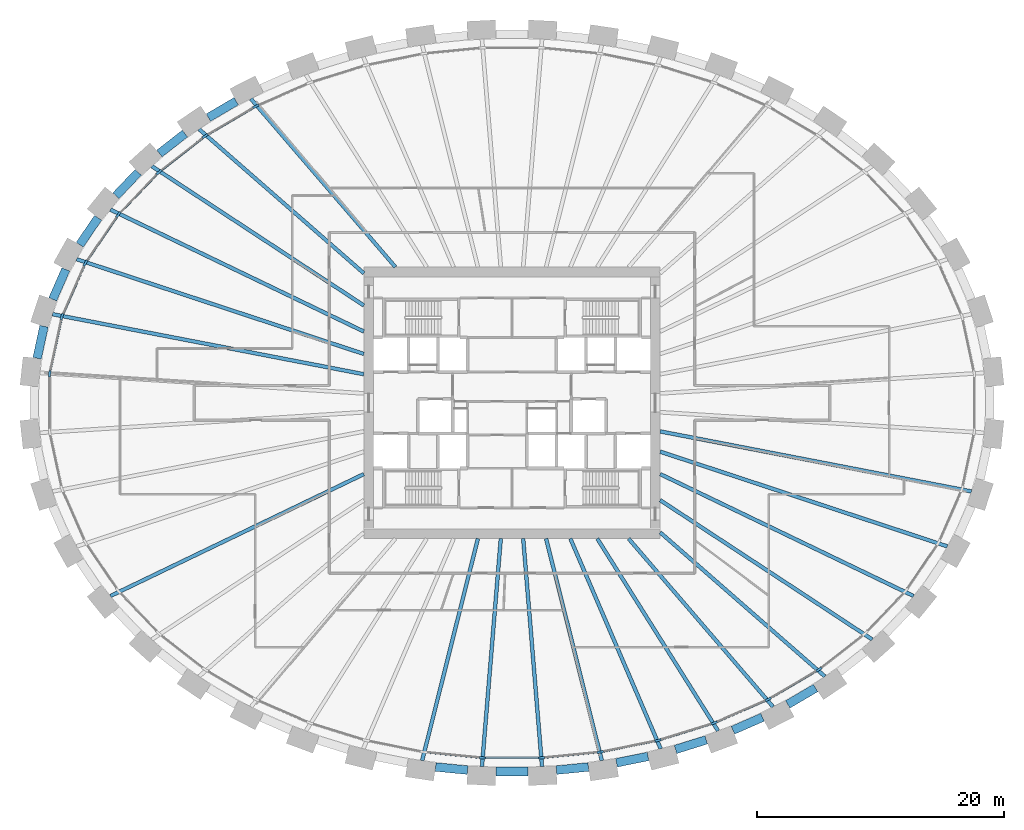
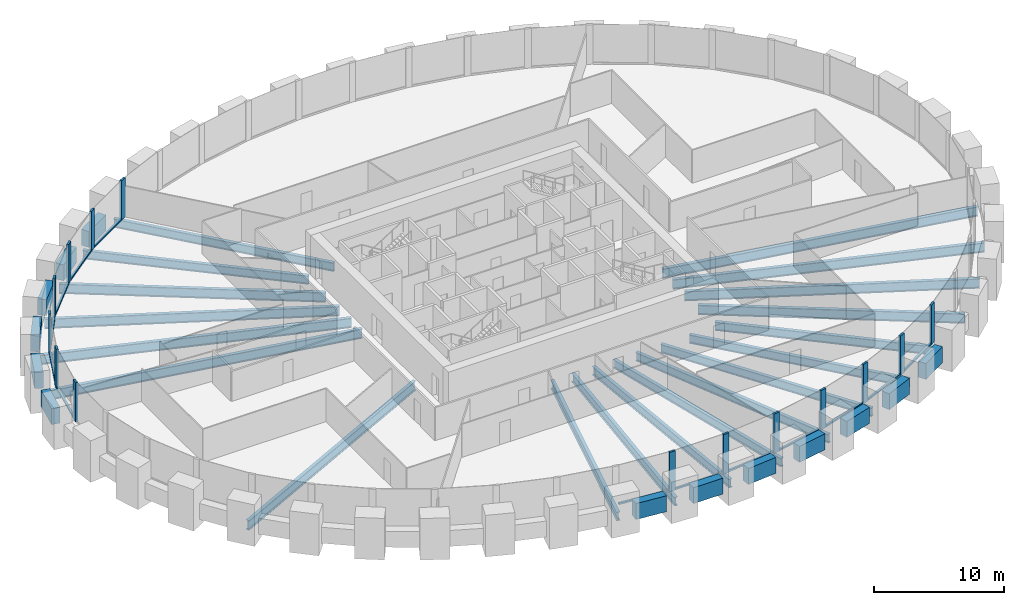
# One storey, part 2 of 11: 32 beams, 27 members, 1 element without a shape of its own.
"""IFC4 building model written with IfcOpenShell, lengths in metres."""

from ifc_helpers import new_model, si_unit, direction, frame, origin, origin_2d, place, context, subcontext, project, spatial, rectangle, i_section, extrude, source, transform, mapped, material, material_profile, profile_set, type_object, element, aggregate, save


model = new_model("IFC4")

# Units and contexts
model_context = context("Model", 3, precision=1e-05, world=origin(), true_north=direction((0.0, 1.0)))
body_context = subcontext(model_context, "Body", "Model", "MODEL_VIEW")
ifc_project = project(units=[si_unit("LENGTHUNIT", "METRE"), si_unit("AREAUNIT", "SQUARE_METRE"), si_unit("VOLUMEUNIT", "CUBIC_METRE"), si_unit("PLANEANGLEUNIT", "RADIAN"), si_unit("MASSUNIT", "GRAM", prefix="KILO")], contexts=[model_context])

# Site, building, storey
site_placement = place(None, origin())
site = spatial("IfcSite", under=ifc_project, at=site_placement, CompositionType="ELEMENT")
building_placement = place(site_placement, origin())
building = spatial("IfcBuilding", under=site, at=building_placement, Name="Embergate Tower", CompositionType="ELEMENT")
storey_placement = place(building_placement, frame((0.0, 0.0, 135.89990234375)))
storey = spatial("IfcBuildingStorey", under=building, at=storey_placement, Name="L29", CompositionType="ELEMENT", Elevation=135.89990234375)

# Beams
ifc_material_1 = material(Name="Concrete C70", Category="concrete")
ifc_material_profile_1 = material_profile(ifc_material_1, rectangle(XDim=0.699951171875, YDim=1.5, at=origin_2d()), Name="RC 700x1500")
ifc_profile_set_1 = profile_set([ifc_material_profile_1], Name="Concrete C70")
beam_type_1 = type_object("IfcBeamType", Name="Spandrel beam RC 700x1500 C70", PredefinedType="BEAM", material=ifc_profile_set_1)
shared_shape_1 = source(origin(), body_context, "Body", "SweptSolid", [
    extrude(rectangle(XDim=0.699951171875, YDim=1.5, at=origin_2d()), origin(), (0.0, 0.0, 1.0), 2.644287109375),
])
beam_1_placement = place(storey_placement, frame((-37.906005859375, 6.195068359375, 0.0), z_axis=(-0.210600871974, -0.977572131724, 0.0), x_axis=(0.977572131724, -0.210600871974, 0.0)))
element("IfcBeam", 1, at=beam_1_placement, inside=storey, type_object=beam_type_1, Name="SPN-L29-20", PredefinedType="BEAM", context=body_context, shape_type="MappedRepresentation", body=[
    mapped(shared_shape_1, transform((0.0, 0.0, 0.0))),
])
shared_shape_2 = source(origin(), body_context, "Body", "SweptSolid", [
    extrude(rectangle(XDim=0.699951171875, YDim=1.5, at=origin_2d()), origin(), (0.0, 0.0, 1.0), 2.640625),
])
beam_2_placement = place(storey_placement, frame((-36.137939453125, 10.801025390625, 0.0), z_axis=(-0.401827456717, -0.915715400672, 0.0), x_axis=(0.915715400672, -0.401827456717, 0.0)))
element("IfcBeam", 2, at=beam_2_placement, inside=storey, type_object=beam_type_1, Name="SPN-L29-19", PredefinedType="BEAM", context=body_context, shape_type="MappedRepresentation", body=[
    mapped(shared_shape_2, transform((0.0, 0.0, 0.0))),
])
shared_shape_3 = source(origin(), body_context, "Body", "SweptSolid", [
    extrude(rectangle(XDim=0.699951171875, YDim=1.5, at=origin_2d()), origin(), (0.0, 0.0, 1.0), 2.63037109375),
])
beam_3_placement = place(storey_placement, frame((-33.528076171875, 14.97900390625, 0.0), z_axis=(-0.562302404878, -0.826931681258, 0.0), x_axis=(0.826931681258, -0.562302404878, 0.0)))
element("IfcBeam", 3, at=beam_3_placement, inside=storey, type_object=beam_type_1, Name="SPN-L29-18", PredefinedType="BEAM", context=body_context, shape_type="MappedRepresentation", body=[
    mapped(shared_shape_3, transform((0.0, 0.0, 0.0))),
])
shared_shape_4 = source(origin(), body_context, "Body", "SweptSolid", [
    extrude(rectangle(XDim=0.699951171875, YDim=1.5, at=origin_2d()), origin(), (0.0, 0.0, 1.0), 2.6240234375),
])
beam_4_placement = place(storey_placement, frame((-30.27099609375, 18.6669921875, 0.0), z_axis=(-0.690161462012, -0.723655412716, 0.0), x_axis=(0.723655412716, -0.690161462012, 0.0)))
element("IfcBeam", 4, at=beam_4_placement, inside=storey, type_object=beam_type_1, Name="SPN-L29-17", PredefinedType="BEAM", context=body_context, shape_type="MappedRepresentation", body=[
    mapped(shared_shape_4, transform((0.0, 0.0, 0.0))),
])
shared_shape_5 = source(origin(), body_context, "Body", "SweptSolid", [
    extrude(rectangle(XDim=0.699951171875, YDim=1.5, at=origin_2d()), origin(), (0.0, 0.0, 1.0), 2.617431640625),
])
beam_5_placement = place(storey_placement, frame((-26.489990234375, 21.806884765625, 0.0), z_axis=(-0.788185558189, -0.615437670169, 0.0), x_axis=(0.615437670169, -0.788185558189, 0.0)))
element("IfcBeam", 5, at=beam_5_placement, inside=storey, type_object=beam_type_1, Name="SPN-L29-16", PredefinedType="BEAM", context=body_context, shape_type="MappedRepresentation", body=[
    mapped(shared_shape_5, transform((0.0, 0.0, 0.0))),
])
shared_shape_6 = source(origin(), body_context, "Body", "SweptSolid", [
    extrude(rectangle(XDim=0.699951171875, YDim=1.5, at=origin_2d()), origin(), (0.0, 0.0, 1.0), 2.61328125),
])
for number, where, z_axis, x_axis, name in (
    (6, (-22.3349609375, 24.425048828125, 0.0), (-0.862147892726, -0.506656699421, 0.0), (0.506656699421, -0.862147892726, 0.0), "SPN-L29-15"),
    (7, (22.3349609375, -24.425048828125, 0.0), (0.862147892726, 0.506656699421, 0.0), (-0.506656699421, 0.862147892726, 0.0), "SPN-L29-37"),
):
    element("IfcBeam", number, at=place(storey_placement, frame(where, z_axis=z_axis, x_axis=x_axis)), inside=storey, type_object=beam_type_1, Name=name, PredefinedType="BEAM", context=body_context, shape_type="MappedRepresentation", body=[
        mapped(shared_shape_6, transform((0.0, 0.0, 0.0))),
    ])
shared_shape_7 = source(origin(), body_context, "Body", "SweptSolid", [
    extrude(rectangle(XDim=0.699951171875, YDim=1.5, at=origin_2d()), origin(), (0.0, 0.0, 1.0), 2.609619140625),
])
beam_6_placement = place(storey_placement, frame((17.89501953125, -26.51611328125, 0.0), z_axis=(0.916138010335, 0.400863001561, 0.0), x_axis=(-0.400863001561, 0.916138010335, 0.0)))
element("IfcBeam", 8, at=beam_6_placement, inside=storey, type_object=beam_type_1, Name="SPN-L29-36", PredefinedType="BEAM", context=body_context, shape_type="MappedRepresentation", body=[
    mapped(shared_shape_7, transform((0.0, 0.0, 0.0))),
])
shared_shape_8 = source(origin(), body_context, "Body", "SweptSolid", [
    extrude(rectangle(XDim=0.699951171875, YDim=1.5, at=origin_2d()), origin(), (0.0, 0.0, 1.0), 2.605712890625),
])
beam_7_placement = place(storey_placement, frame((13.2451171875, -28.075927734375, 0.0), z_axis=(0.954756318778, 0.297389259647, 0.0), x_axis=(-0.297389259647, 0.954756318778, 0.0)))
element("IfcBeam", 9, at=beam_7_placement, inside=storey, type_object=beam_type_1, Name="SPN-L29-35", PredefinedType="BEAM", context=body_context, shape_type="MappedRepresentation", body=[
    mapped(shared_shape_8, transform((0.0, 0.0, 0.0))),
])
shared_shape_9 = source(origin(), body_context, "Body", "SweptSolid", [
    extrude(rectangle(XDim=0.699951171875, YDim=1.5, at=origin_2d()), origin(), (0.0, 0.0, 1.0), 2.602783203125),
])
beam_8_placement = place(storey_placement, frame((8.464111328125, -29.156982421875, 0.0), z_axis=(0.98046506275, 0.196693316425, 0.0), x_axis=(-0.196693316425, 0.98046506275, 0.0)))
element("IfcBeam", 10, at=beam_8_placement, inside=storey, type_object=beam_type_1, Name="SPN-L29-34", PredefinedType="BEAM", context=body_context, shape_type="MappedRepresentation", body=[
    mapped(shared_shape_9, transform((0.0, 0.0, 0.0))),
])
shared_shape_10 = source(origin(), body_context, "Body", "SweptSolid", [
    extrude(rectangle(XDim=0.699951171875, YDim=1.5, at=origin_2d()), origin(), (0.0, 0.0, 1.0), 2.603515625),
])
for number, where, z_axis, x_axis, name in (
    (11, (-6.18896484375, -29.49609375, 0.0), (0.995232987849, -0.097525893467, 0.0), (0.097525893467, 0.995232987849, 0.0), "SPN-L29-31"),
    (12, (3.597900390625, -29.75, 0.0), (0.995232987849, 0.097525893467, 0.0), (-0.097525893467, 0.995232987849, 0.0), "SPN-L29-33"),
):
    element("IfcBeam", number, at=place(storey_placement, frame(where, z_axis=z_axis, x_axis=x_axis)), inside=storey, type_object=beam_type_1, Name=name, PredefinedType="BEAM", context=body_context, shape_type="MappedRepresentation", body=[
        mapped(shared_shape_10, transform((0.0, 0.0, 0.0))),
    ])
shared_shape_11 = source(origin(), body_context, "Body", "SweptSolid", [
    extrude(rectangle(XDim=0.699951171875, YDim=1.5, at=origin_2d()), origin(), (0.0, 0.0, 1.0), 2.60205078125),
])
beam_9_placement = place(storey_placement, frame((-1.301025390625, -29.863037109375, 0.0), z_axis=(1.0, 0.0, 0.0), x_axis=(0.0, 1.0, 0.0)))
element("IfcBeam", 13, at=beam_9_placement, inside=storey, type_object=beam_type_1, Name="SPN-L29-32", PredefinedType="BEAM", context=body_context, shape_type="MappedRepresentation", body=[
    mapped(shared_shape_11, transform((0.0, 0.0, 0.0))),
])
ifc_material_2 = material(Name="Steel Q355B", Category="steel")
ifc_material_profile_2 = material_profile(ifc_material_2, i_section(OverallWidth=0.300048828125, OverallDepth=0.89990234375, WebThickness=0.01611328125, FlangeThickness=0.028076171875, FilletRadius=0.028076171875, at=origin_2d()), Name="HN 900x300x16x28")
ifc_profile_set_2 = profile_set([ifc_material_profile_2], Name="Steel Q355 grade B")
beam_type_2 = type_object("IfcBeamType", Name="Radial girder HN 900x300x16x28", PredefinedType="BEAM", material=ifc_profile_set_2)
shared_shape_12 = source(origin(), body_context, "Body", "SweptSolid", [
    extrude(i_section(OverallWidth=0.300048828125, OverallDepth=0.89990234375, WebThickness=0.01611328125, FlangeThickness=0.028076171875, FilletRadius=0.028076171875, at=origin_2d()), origin(), (0.0, 0.0, 1.0), 25.678955078125),
])
for number, where, z_axis, x_axis, name in (
    (14, (-37.214111328125, 7.178955078125, -0.64990234375), (0.981896899558, -0.189416151998, 0.0), (0.189416151998, 0.981896899558, 0.0), "GIR-L29-20"),
    (15, (37.214111328125, -7.178955078125, -0.64990234375), (-0.981896899558, 0.189416151998, 0.0), (-0.189416151998, -0.981896899558, 0.0), "GIR-L29-42"),
):
    element("IfcBeam", number, at=place(storey_placement, frame(where, z_axis=z_axis, x_axis=x_axis)), inside=storey, type_object=beam_type_2, Name=name, PredefinedType="BEAM", context=body_context, shape_type="MappedRepresentation", body=[
        mapped(shared_shape_12, transform((0.0, 0.0, 0.0))),
    ])
shared_shape_13 = source(origin(), body_context, "Body", "SweptSolid", [
    extrude(i_section(OverallWidth=0.300048828125, OverallDepth=0.89990234375, WebThickness=0.01611328125, FlangeThickness=0.028076171875, FilletRadius=0.028076171875, at=origin_2d()), origin(), (0.0, 0.0, 1.0), 24.494384765625),
])
for number, where, z_axis, x_axis, name in (
    (16, (-35.261962890625, 11.62890625, -0.64990234375), (0.949684190342, -0.313209097273, 0.0), (0.313209097273, 0.949684190342, 0.0), "GIR-L29-19"),
    (17, (35.261962890625, -11.62890625, -0.64990234375), (-0.949684190342, 0.313209097273, 0.0), (-0.313209097273, -0.949684190342, 0.0), "GIR-L29-41"),
):
    element("IfcBeam", number, at=place(storey_placement, frame(where, z_axis=z_axis, x_axis=x_axis)), inside=storey, type_object=beam_type_2, Name=name, PredefinedType="BEAM", context=body_context, shape_type="MappedRepresentation", body=[
        mapped(shared_shape_13, transform((0.0, 0.0, 0.0))),
    ])
shared_shape_14 = source(origin(), body_context, "Body", "SweptSolid", [
    extrude(i_section(OverallWidth=0.300048828125, OverallDepth=0.89990234375, WebThickness=0.01611328125, FlangeThickness=0.028076171875, FilletRadius=0.028076171875, at=origin_2d()), origin(), (0.0, 0.0, 1.0), 22.7802734375),
])
for number, where, z_axis, x_axis, name in (
    (18, (-32.528076171875, 15.64892578125, -0.64990234375), (0.901137381281, -0.433533643514, 0.0), (0.433533643514, 0.901137381281, 0.0), "GIR-L29-18"),
    (19, (-32.528076171875, -15.64892578125, -0.64990234375), (0.901137381281, 0.433533643514, 0.0), (-0.433533643514, 0.901137381281, 0.0), "GIR-L29-25"),
    (20, (32.528076171875, -15.64892578125, -0.64990234375), (-0.901137381281, 0.433533643514, 0.0), (-0.433533643514, -0.901137381281, 0.0), "GIR-L29-40"),
):
    element("IfcBeam", number, at=place(storey_placement, frame(where, z_axis=z_axis, x_axis=x_axis)), inside=storey, type_object=beam_type_2, Name=name, PredefinedType="BEAM", context=body_context, shape_type="MappedRepresentation", body=[
        mapped(shared_shape_14, transform((0.0, 0.0, 0.0))),
    ])
shared_shape_15 = source(origin(), body_context, "Body", "SweptSolid", [
    extrude(i_section(OverallWidth=0.300048828125, OverallDepth=0.89990234375, WebThickness=0.01611328125, FlangeThickness=0.028076171875, FilletRadius=0.028076171875, at=origin_2d()), origin(), (0.0, 0.0, 1.0), 20.548095703125),
])
for number, where, z_axis, x_axis, name in (
    (21, (-29.173095703125, 19.1669921875, -0.64990234375), (0.835755020843, -0.549102490557, 0.0), (0.549102490557, 0.835755020843, 0.0), "GIR-L29-17"),
    (22, (29.173095703125, -19.1669921875, -0.64990234375), (-0.835755020843, 0.549102490557, 0.0), (-0.549102490557, -0.835755020843, 0.0), "GIR-L29-39"),
):
    element("IfcBeam", number, at=place(storey_placement, frame(where, z_axis=z_axis, x_axis=x_axis)), inside=storey, type_object=beam_type_2, Name=name, PredefinedType="BEAM", context=body_context, shape_type="MappedRepresentation", body=[
        mapped(shared_shape_15, transform((0.0, 0.0, 0.0))),
    ])
ifc_material_profile_3 = material_profile(ifc_material_2, i_section(OverallWidth=0.300048828125, OverallDepth=0.800048828125, WebThickness=0.013916015625, FlangeThickness=0.02587890625, FilletRadius=0.028076171875, at=origin_2d()), Name="HN 800x300x14x26")
ifc_profile_set_3 = profile_set([ifc_material_profile_3], Name="Steel Q355 grade B")
beam_type_3 = type_object("IfcBeamType", Name="Radial girder HN 800x300x14x26", PredefinedType="BEAM", material=ifc_profile_set_3)
shared_shape_16 = source(origin(), body_context, "Body", "SweptSolid", [
    extrude(i_section(OverallWidth=0.300048828125, OverallDepth=0.800048828125, WebThickness=0.013916015625, FlangeThickness=0.02587890625, FilletRadius=0.028076171875, at=origin_2d()), origin(), (0.0, 0.0, 1.0), 17.7216796875),
])
for number, where, z_axis, x_axis, name in (
    (23, (-25.340087890625, 22.159912109375, -0.599853515625), (0.752760148579, -0.65829488735, 0.0), (0.65829488735, 0.752760148579, 0.0), "GIR-L29-16"),
    (24, (25.340087890625, -22.159912109375, -0.599853515625), (-0.752760148579, 0.65829488735, 0.0), (-0.65829488735, -0.752760148579, 0.0), "GIR-L29-38"),
):
    element("IfcBeam", number, at=place(storey_placement, frame(where, z_axis=z_axis, x_axis=x_axis)), inside=storey, type_object=beam_type_3, Name=name, PredefinedType="BEAM", context=body_context, shape_type="MappedRepresentation", body=[
        mapped(shared_shape_16, transform((0.0, 0.0, 0.0))),
    ])
shared_shape_17 = source(origin(), body_context, "Body", "SweptSolid", [
    extrude(i_section(OverallWidth=0.300048828125, OverallDepth=0.800048828125, WebThickness=0.013916015625, FlangeThickness=0.02587890625, FilletRadius=0.028076171875, at=origin_2d()), origin(), (0.0, 0.0, 1.0), 17.958251953125),
])
for number, where, z_axis, x_axis, name in (
    (25, (-21.14599609375, 24.6240234375, -0.599853515625), (0.651504254296, -0.75864498063, 0.0), (0.75864498063, 0.651504254296, 0.0), "GIR-L29-15"),
    (26, (21.14599609375, -24.6240234375, -0.599853515625), (-0.651504254296, 0.75864498063, 0.0), (-0.75864498063, -0.651504254296, 0.0), "GIR-L29-37"),
):
    element("IfcBeam", number, at=place(storey_placement, frame(where, z_axis=z_axis, x_axis=x_axis)), inside=storey, type_object=beam_type_3, Name=name, PredefinedType="BEAM", context=body_context, shape_type="MappedRepresentation", body=[
        mapped(shared_shape_17, transform((0.0, 0.0, 0.0))),
    ])
shared_shape_18 = source(origin(), body_context, "Body", "SweptSolid", [
    extrude(i_section(OverallWidth=0.300048828125, OverallDepth=0.800048828125, WebThickness=0.013916015625, FlangeThickness=0.02587890625, FilletRadius=0.028076171875, at=origin_2d()), origin(), (0.0, 0.0, 1.0), 18.390625),
])
beam_10_placement = place(storey_placement, frame((16.68994140625, -26.573974609375, -0.599853515625), z_axis=(-0.531846072131, 0.846841045037, 0.0), x_axis=(-0.846841045037, -0.531846072131, 0.0)))
element("IfcBeam", 27, at=beam_10_placement, inside=storey, type_object=beam_type_3, Name="GIR-L29-36", PredefinedType="BEAM", context=body_context, shape_type="MappedRepresentation", body=[
    mapped(shared_shape_18, transform((0.0, 0.0, 0.0))),
])
shared_shape_19 = source(origin(), body_context, "Body", "SweptSolid", [
    extrude(i_section(OverallWidth=0.300048828125, OverallDepth=0.800048828125, WebThickness=0.013916015625, FlangeThickness=0.02587890625, FilletRadius=0.028076171875, at=origin_2d()), origin(), (0.0, 0.0, 1.0), 18.52587890625),
])
beam_11_placement = place(storey_placement, frame((12.0439453125, -28.02001953125, -0.599853515625), z_axis=(-0.394905182854, 0.918721882049, 0.0), x_axis=(-0.918721882049, -0.394905182854, 0.0)))
element("IfcBeam", 28, at=beam_11_placement, inside=storey, type_object=beam_type_3, Name="GIR-L29-35", PredefinedType="BEAM", context=body_context, shape_type="MappedRepresentation", body=[
    mapped(shared_shape_19, transform((0.0, 0.0, 0.0))),
])
shared_shape_20 = source(origin(), body_context, "Body", "SweptSolid", [
    extrude(i_section(OverallWidth=0.300048828125, OverallDepth=0.800048828125, WebThickness=0.013916015625, FlangeThickness=0.02587890625, FilletRadius=0.028076171875, at=origin_2d()), origin(), (0.0, 0.0, 1.0), 18.534912109375),
])
for number, where, z_axis, x_axis, name in (
    (29, (-7.27490234375, -28.97705078125, -0.599853515625), (0.243483891087, 0.969904941106, 0.0), (-0.969904941106, 0.243483891087, 0.0), "GIR-L29-31"),
    (30, (7.27490234375, -28.97705078125, -0.599853515625), (-0.243483891087, 0.969904941106, 0.0), (-0.969904941106, -0.243483891087, 0.0), "GIR-L29-34"),
):
    element("IfcBeam", number, at=place(storey_placement, frame(where, z_axis=z_axis, x_axis=x_axis)), inside=storey, type_object=beam_type_3, Name=name, PredefinedType="BEAM", context=body_context, shape_type="MappedRepresentation", body=[
        mapped(shared_shape_20, transform((0.0, 0.0, 0.0))),
    ])
shared_shape_21 = source(origin(), body_context, "Body", "SweptSolid", [
    extrude(i_section(OverallWidth=0.300048828125, OverallDepth=0.800048828125, WebThickness=0.013916015625, FlangeThickness=0.02587890625, FilletRadius=0.028076171875, at=origin_2d()), origin(), (0.0, 0.0, 1.0), 18.515625),
])
for number, where, z_axis, x_axis, name in (
    (31, (-2.431884765625, -29.452880859375, -0.599853515625), (0.082304517098, 0.996607227781, 0.0), (-0.996607227781, 0.082304517098, 0.0), "GIR-L29-32"),
    (32, (2.431884765625, -29.452880859375, -0.599853515625), (-0.082304517098, 0.996607227781, 0.0), (-0.996607227781, -0.082304517098, 0.0), "GIR-L29-33"),
):
    element("IfcBeam", number, at=place(storey_placement, frame(where, z_axis=z_axis, x_axis=x_axis)), inside=storey, type_object=beam_type_3, Name=name, PredefinedType="BEAM", context=body_context, shape_type="MappedRepresentation", body=[
        mapped(shared_shape_21, transform((0.0, 0.0, 0.0))),
    ])

# Curtain wall, members
ifc_material_3 = material(Name="Aluminium and glass", Category="aluminium")
curtain_wall_type = type_object("IfcCurtainWallType", Name="Recessed office glazing", PredefinedType="NOTDEFINED", material=ifc_material_3)
curtain_wall_placement = place(storey_placement, origin())
curtain_wall = element("IfcCurtainWall", 33, at=curtain_wall_placement, inside=storey, type_object=curtain_wall_type, Name="Recessed office glazing ring", ObjectType="RECESSED OFFICE GLAZING", PredefinedType="USERDEFINED")
ifc_material_4 = material(Name="Aluminium, thermally broken", Category="aluminium")
ifc_material_profile_4 = material_profile(ifc_material_4, rectangle(XDim=0.179931640625, YDim=0.52001953125, at=origin_2d()), Name="AL 520x180")
ifc_profile_set_4 = profile_set([ifc_material_profile_4], Name="Aluminium, thermally broken")
member_type_1 = type_object("IfcMemberType", Name="Office mullion", PredefinedType="MULLION", material=ifc_profile_set_4)
shared_shape_22 = source(origin(), body_context, "Body", "SweptSolid", [
    extrude(rectangle(XDim=0.179931640625, YDim=0.52001953125, at=origin_2d()), origin(), (0.0, 0.0, 1.0), 3.7001953125),
])
member_1_placement = place(storey_placement, frame((-20.74755859375, 24.018310546875, 0.0), z_axis=(0.0, 0.0, 1.0), x_axis=(0.454508271251, -0.890742516872, 0.0)))
member_1 = element("IfcMember", 34, at=member_1_placement, type_object=member_type_1, Name="CW mullion 16", PredefinedType="MULLION", context=body_context, shape_type="MappedRepresentation", body=[
    mapped(shared_shape_22, transform((0.0, 0.0, 0.0))),
])
member_2_placement = place(storey_placement, frame((-24.8544921875, 21.603515625, 0.0), z_axis=(0.0, 0.0, 1.0), x_axis=(0.562214731803, -0.826991290972, 0.0)))
member_2 = element("IfcMember", 35, at=member_2_placement, type_object=member_type_1, Name="CW mullion 17", PredefinedType="MULLION", context=body_context, shape_type="MappedRepresentation", body=[
    mapped(shared_shape_22, transform((0.0, 0.0, 0.0))),
])
member_3_placement = place(storey_placement, frame((-28.605712890625, 18.676025390625, 0.0), z_axis=(0.0, 0.0, 1.0), x_axis=(0.671225240226, -0.741253449829, 0.0)))
member_3 = element("IfcMember", 36, at=member_3_placement, type_object=member_type_1, Name="CW mullion 18", PredefinedType="MULLION", context=body_context, shape_type="MappedRepresentation", body=[
    mapped(shared_shape_22, transform((0.0, 0.0, 0.0))),
])
member_4_placement = place(storey_placement, frame((-31.88427734375, 15.238037109375, 0.0), z_axis=(0.0, 0.0, 1.0), x_axis=(0.777871467551, -0.628423408198, 0.0)))
member_4 = element("IfcMember", 37, at=member_4_placement, type_object=member_type_1, Name="CW mullion 19", PredefinedType="MULLION", context=body_context, shape_type="MappedRepresentation", body=[
    mapped(shared_shape_22, transform((0.0, 0.0, 0.0))),
])
member_5_placement = place(storey_placement, frame((-34.55078125, 11.31689453125, 0.0), z_axis=(0.0, 0.0, 1.0), x_axis=(0.875001895832, -0.484119491748, 0.0)))
member_5 = element("IfcMember", 38, at=member_5_placement, type_object=member_type_1, Name="CW mullion 20", PredefinedType="MULLION", context=body_context, shape_type="MappedRepresentation", body=[
    mapped(shared_shape_22, transform((0.0, 0.0, 0.0))),
])
member_6_placement = place(storey_placement, frame((-36.451904296875, 6.982177734375, 0.0), z_axis=(0.0, 0.0, 1.0), x_axis=(0.951497797992, -0.307655554826, 0.0)))
member_6 = element("IfcMember", 39, at=member_6_placement, type_object=member_type_1, Name="CW mullion 21", PredefinedType="MULLION", context=body_context, shape_type="MappedRepresentation", body=[
    mapped(shared_shape_22, transform((0.0, 0.0, 0.0))),
])
member_7_placement = place(storey_placement, frame((-37.4462890625, 2.36181640625, 0.0), z_axis=(0.0, 0.0, 1.0), x_axis=(0.994384954736, -0.105823257345, 0.0)))
member_7 = element("IfcMember", 40, at=member_7_placement, type_object=member_type_1, Name="CW mullion 22", PredefinedType="MULLION", context=body_context, shape_type="MappedRepresentation", body=[
    mapped(shared_shape_22, transform((0.0, 0.0, 0.0))),
])
member_8_placement = place(storey_placement, frame((-2.387939453125, -28.753662109375, 0.0), z_axis=(0.0, 0.0, 1.0), x_axis=(0.048971796621, 0.998800161762, 0.0)))
member_8 = element("IfcMember", 41, at=member_8_placement, type_object=member_type_1, Name="CW mullion 33", PredefinedType="MULLION", context=body_context, shape_type="MappedRepresentation", body=[
    mapped(shared_shape_22, transform((0.0, 0.0, 0.0))),
])
member_9_placement = place(storey_placement, frame((2.387939453125, -28.753662109375, 0.0), z_axis=(0.0, 0.0, 1.0), x_axis=(-0.048971796621, 0.998800161762, 0.0)))
member_9 = element("IfcMember", 42, at=member_9_placement, type_object=member_type_1, Name="CW mullion 34", PredefinedType="MULLION", context=body_context, shape_type="MappedRepresentation", body=[
    mapped(shared_shape_22, transform((0.0, 0.0, 0.0))),
])
member_10_placement = place(storey_placement, frame((7.140625, -28.28662109375, 0.0), z_axis=(0.0, 0.0, 1.0), x_axis=(-0.147410656556, 0.989075375456, 0.0)))
member_10 = element("IfcMember", 43, at=member_10_placement, type_object=member_type_1, Name="CW mullion 35", PredefinedType="MULLION", context=body_context, shape_type="MappedRepresentation", body=[
    mapped(shared_shape_22, transform((0.0, 0.0, 0.0))),
])
member_11_placement = place(storey_placement, frame((11.82177734375, -27.34765625, 0.0), z_axis=(0.0, 0.0, 1.0), x_axis=(-0.247310190257, 0.968936360034, 0.0)))
member_11 = element("IfcMember", 44, at=member_11_placement, type_object=member_type_1, Name="CW mullion 36", PredefinedType="MULLION", context=body_context, shape_type="MappedRepresentation", body=[
    mapped(shared_shape_22, transform((0.0, 0.0, 0.0))),
])
member_12_placement = place(storey_placement, frame((16.378173828125, -25.9287109375, 0.0), z_axis=(0.0, 0.0, 1.0), x_axis=(-0.349501047589, 0.936935973124, 0.0)))
member_12 = element("IfcMember", 45, at=member_12_placement, type_object=member_type_1, Name="CW mullion 37", PredefinedType="MULLION", context=body_context, shape_type="MappedRepresentation", body=[
    mapped(shared_shape_22, transform((0.0, 0.0, 0.0))),
])
member_13_placement = place(storey_placement, frame((20.74755859375, -24.018310546875, 0.0), z_axis=(0.0, 0.0, 1.0), x_axis=(-0.454508271251, 0.890742516872, 0.0)))
member_13 = element("IfcMember", 46, at=member_13_placement, type_object=member_type_1, Name="CW mullion 38", PredefinedType="MULLION", context=body_context, shape_type="MappedRepresentation", body=[
    mapped(shared_shape_22, transform((0.0, 0.0, 0.0))),
])
member_14_placement = place(storey_placement, frame((24.8544921875, -21.603515625, 0.0), z_axis=(0.0, 0.0, 1.0), x_axis=(-0.562214731803, 0.826991290972, 0.0)))
member_14 = element("IfcMember", 47, at=member_14_placement, type_object=member_type_1, Name="CW mullion 39", PredefinedType="MULLION", context=body_context, shape_type="MappedRepresentation", body=[
    mapped(shared_shape_22, transform((0.0, 0.0, 0.0))),
])
ifc_material_profile_5 = material_profile(ifc_material_4, rectangle(XDim=0.179931640625, YDim=0.14990234375, at=origin_2d()), Name="AL 150x180")
ifc_profile_set_5 = profile_set([ifc_material_profile_5], Name="Aluminium, thermally broken")
member_type_2 = type_object("IfcMemberType", Name="Office sill transom", PredefinedType="USERDEFINED", material=ifc_profile_set_5)
shared_shape_23 = source(origin(), body_context, "Body", "SweptSolid", [
    extrude(rectangle(XDim=0.179931640625, YDim=0.14990234375, at=origin_2d()), origin(), (0.0, 0.0, 1.0), 4.25439453125),
])
member_15_placement = place(storey_placement, frame((7.3955078125, -28.2353515625, 0.0751953125), z_axis=(0.980472378795, 0.196656844325, 0.0), x_axis=(-0.196656844325, 0.980472378795, 0.0)))
member_15 = element("IfcMember", 48, at=member_15_placement, type_object=member_type_2, Name="CW transom 35.1", ObjectType="TRANSOM", PredefinedType="USERDEFINED", context=body_context, shape_type="MappedRepresentation", body=[
    mapped(shared_shape_23, transform((0.0, 0.0, 0.0))),
])
shared_shape_24 = source(origin(), body_context, "Body", "SweptSolid", [
    extrude(rectangle(XDim=0.179931640625, YDim=0.14990234375, at=origin_2d()), origin(), (0.0, 0.0, 1.0), 4.206298828125),
])
member_16_placement = place(storey_placement, frame((-36.506591796875, 6.72802734375, 0.0751953125), z_axis=(-0.210405025701, -0.977614302862, 0.0), x_axis=(0.977614302862, -0.210405025701, 0.0)))
member_16 = element("IfcMember", 49, at=member_16_placement, type_object=member_type_2, Name="CW transom 21.1", ObjectType="TRANSOM", PredefinedType="USERDEFINED", context=body_context, shape_type="MappedRepresentation", body=[
    mapped(shared_shape_24, transform((0.0, 0.0, 0.0))),
])
shared_shape_25 = source(origin(), body_context, "Body", "SweptSolid", [
    extrude(rectangle(XDim=0.179931640625, YDim=0.14990234375, at=origin_2d()), origin(), (0.0, 0.0, 1.0), 4.213134765625),
])
member_17_placement = place(storey_placement, frame((-34.655517578125, 11.07861328125, 0.0751953125), z_axis=(-0.40163335885, -0.915800548733, 0.0), x_axis=(0.915800548733, -0.40163335885, 0.0)))
member_17 = element("IfcMember", 50, at=member_17_placement, type_object=member_type_2, Name="CW transom 20.1", ObjectType="TRANSOM", PredefinedType="USERDEFINED", context=body_context, shape_type="MappedRepresentation", body=[
    mapped(shared_shape_25, transform((0.0, 0.0, 0.0))),
])
shared_shape_26 = source(origin(), body_context, "Body", "SweptSolid", [
    extrude(rectangle(XDim=0.179931640625, YDim=0.14990234375, at=origin_2d()), origin(), (0.0, 0.0, 1.0), 4.22216796875),
])
member_18_placement = place(storey_placement, frame((-32.030517578125, 15.02294921875, 0.0751953125), z_axis=(-0.562349562031, -0.826899613063, 0.0), x_axis=(0.826899613063, -0.562349562031, 0.0)))
member_18 = element("IfcMember", 51, at=member_18_placement, type_object=member_type_2, Name="CW transom 19.1", ObjectType="TRANSOM", PredefinedType="USERDEFINED", context=body_context, shape_type="MappedRepresentation", body=[
    mapped(shared_shape_26, transform((0.0, 0.0, 0.0))),
])
shared_shape_27 = source(origin(), body_context, "Body", "SweptSolid", [
    extrude(rectangle(XDim=0.179931640625, YDim=0.14990234375, at=origin_2d()), origin(), (0.0, 0.0, 1.0), 4.230712890625),
])
member_19_placement = place(storey_placement, frame((-28.784912109375, 18.48779296875, 0.0751953125), z_axis=(-0.690173739415, -0.723643703367, 0.0), x_axis=(0.723643703367, -0.690173739415, 0.0)))
member_19 = element("IfcMember", 52, at=member_19_placement, type_object=member_type_2, Name="CW transom 18.1", ObjectType="TRANSOM", PredefinedType="USERDEFINED", context=body_context, shape_type="MappedRepresentation", body=[
    mapped(shared_shape_27, transform((0.0, 0.0, 0.0))),
])
shared_shape_28 = source(origin(), body_context, "Body", "SweptSolid", [
    extrude(rectangle(XDim=0.179931640625, YDim=0.14990234375, at=origin_2d()), origin(), (0.0, 0.0, 1.0), 4.23828125),
])
member_20_placement = place(storey_placement, frame((-25.0595703125, 21.443603515625, 0.0751953125), z_axis=(-0.788315102029, -0.615271728518, 0.0), x_axis=(0.615271728518, -0.788315102029, 0.0)))
member_20 = element("IfcMember", 53, at=member_20_placement, type_object=member_type_2, Name="CW transom 17.1", ObjectType="TRANSOM", PredefinedType="USERDEFINED", context=body_context, shape_type="MappedRepresentation", body=[
    mapped(shared_shape_28, transform((0.0, 0.0, 0.0))),
])
shared_shape_29 = source(origin(), body_context, "Body", "SweptSolid", [
    extrude(rectangle(XDim=0.179931640625, YDim=0.14990234375, at=origin_2d()), origin(), (0.0, 0.0, 1.0), 4.244140625),
])
member_21_placement = place(storey_placement, frame((-20.9716796875, 23.886474609375, 0.0751953125), z_axis=(-0.862042143977, -0.506836602868, 0.0), x_axis=(0.506836602868, -0.862042143977, 0.0)))
member_21 = element("IfcMember", 54, at=member_21_placement, type_object=member_type_2, Name="CW transom 16.1", ObjectType="TRANSOM", PredefinedType="USERDEFINED", context=body_context, shape_type="MappedRepresentation", body=[
    mapped(shared_shape_29, transform((0.0, 0.0, 0.0))),
])
member_22_placement = place(storey_placement, frame((20.9716796875, -23.886474609375, 0.0751953125), z_axis=(0.862042143977, 0.506836602868, 0.0), x_axis=(-0.506836602868, 0.862042143977, 0.0)))
member_22 = element("IfcMember", 55, at=member_22_placement, type_object=member_type_2, Name="CW transom 38.1", ObjectType="TRANSOM", PredefinedType="USERDEFINED", context=body_context, shape_type="MappedRepresentation", body=[
    mapped(shared_shape_29, transform((0.0, 0.0, 0.0))),
])
shared_shape_30 = source(origin(), body_context, "Body", "SweptSolid", [
    extrude(rectangle(XDim=0.179931640625, YDim=0.14990234375, at=origin_2d()), origin(), (0.0, 0.0, 1.0), 4.2490234375),
])
member_23_placement = place(storey_placement, frame((16.6162109375, -25.82470703125, 0.0751953125), z_axis=(0.91622853094, 0.400656060845, 0.0), x_axis=(-0.400656060845, 0.91622853094, 0.0)))
member_23 = element("IfcMember", 56, at=member_23_placement, type_object=member_type_2, Name="CW transom 37.1", ObjectType="TRANSOM", PredefinedType="USERDEFINED", context=body_context, shape_type="MappedRepresentation", body=[
    mapped(shared_shape_30, transform((0.0, 0.0, 0.0))),
])
shared_shape_31 = source(origin(), body_context, "Body", "SweptSolid", [
    extrude(rectangle(XDim=0.179931640625, YDim=0.14990234375, at=origin_2d()), origin(), (0.0, 0.0, 1.0), 4.252197265625),
])
member_24_placement = place(storey_placement, frame((12.070068359375, -27.2705078125, 0.0751953125), z_axis=(0.954766614733, 0.297356202881, 0.0), x_axis=(-0.297356202881, 0.954766614733, 0.0)))
member_24 = element("IfcMember", 57, at=member_24_placement, type_object=member_type_2, Name="CW transom 36.1", ObjectType="TRANSOM", PredefinedType="USERDEFINED", context=body_context, shape_type="MappedRepresentation", body=[
    mapped(shared_shape_31, transform((0.0, 0.0, 0.0))),
])
shared_shape_32 = source(origin(), body_context, "Body", "SweptSolid", [
    extrude(rectangle(XDim=0.179931640625, YDim=0.14990234375, at=origin_2d()), origin(), (0.0, 0.0, 1.0), 4.255859375),
])
member_25_placement = place(storey_placement, frame((-6.882080078125, -28.31201171875, 0.0751953125), z_axis=(0.995205012033, -0.097810960659, 0.0), x_axis=(0.097810960659, 0.995205012033, 0.0)))
member_25 = element("IfcMember", 58, at=member_25_placement, type_object=member_type_2, Name="CW transom 32.1", ObjectType="TRANSOM", PredefinedType="USERDEFINED", context=body_context, shape_type="MappedRepresentation", body=[
    mapped(shared_shape_32, transform((0.0, 0.0, 0.0))),
])
member_26_placement = place(storey_placement, frame((-2.1279296875, -28.753662109375, 0.0751953125), z_axis=(1.0, 0.0, 0.0), x_axis=(0.0, 1.0, 0.0)))
member_26 = element("IfcMember", 59, at=member_26_placement, type_object=member_type_2, Name="CW transom 33.1", ObjectType="TRANSOM", PredefinedType="USERDEFINED", context=body_context, shape_type="MappedRepresentation", body=[
    mapped(shared_shape_32, transform((0.0, 0.0, 0.0))),
])
member_27_placement = place(storey_placement, frame((2.646728515625, -28.728271484375, 0.0751953125), z_axis=(0.995205012033, 0.097810960659, 0.0), x_axis=(-0.097810960659, 0.995205012033, 0.0)))
member_27 = element("IfcMember", 60, at=member_27_placement, type_object=member_type_2, Name="CW transom 34.1", ObjectType="TRANSOM", PredefinedType="USERDEFINED", context=body_context, shape_type="MappedRepresentation", body=[
    mapped(shared_shape_32, transform((0.0, 0.0, 0.0))),
])
aggregate(curtain_wall, [member_1, member_2, member_3, member_4, member_5, member_6, member_7, member_8, member_9, member_10, member_11, member_12, member_13, member_14, member_21, member_20, member_19, member_18, member_17, member_16, member_25, member_26, member_27, member_15, member_24, member_23, member_22])

save(model, "model.ifc")
